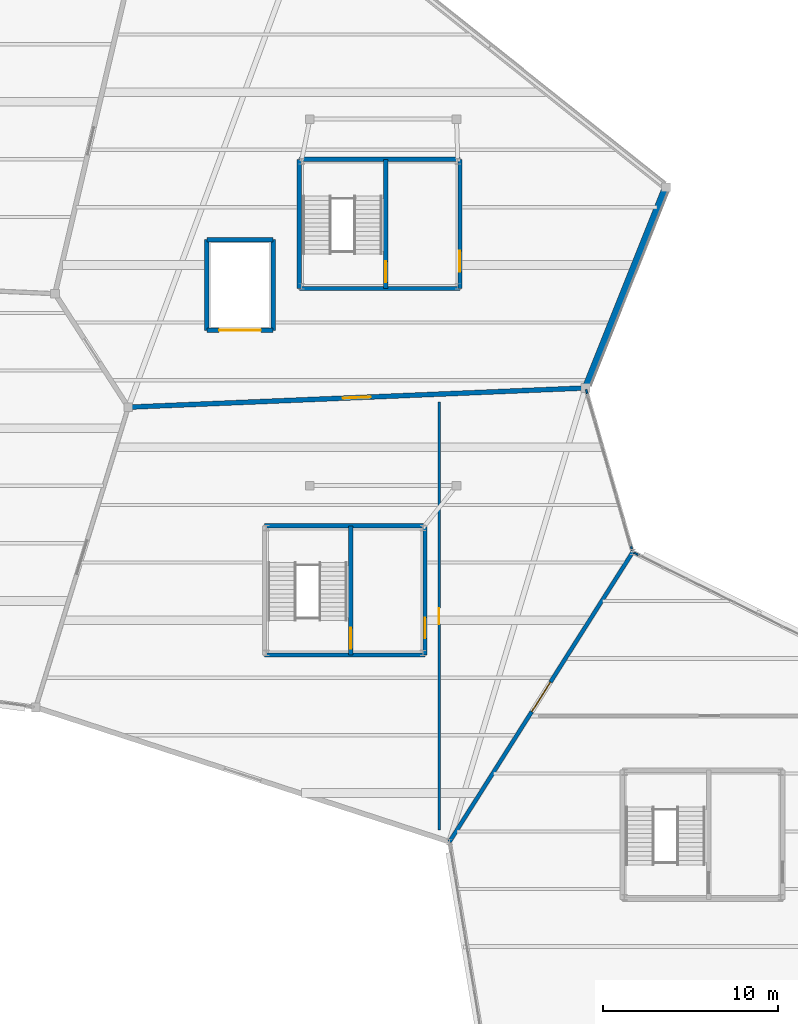
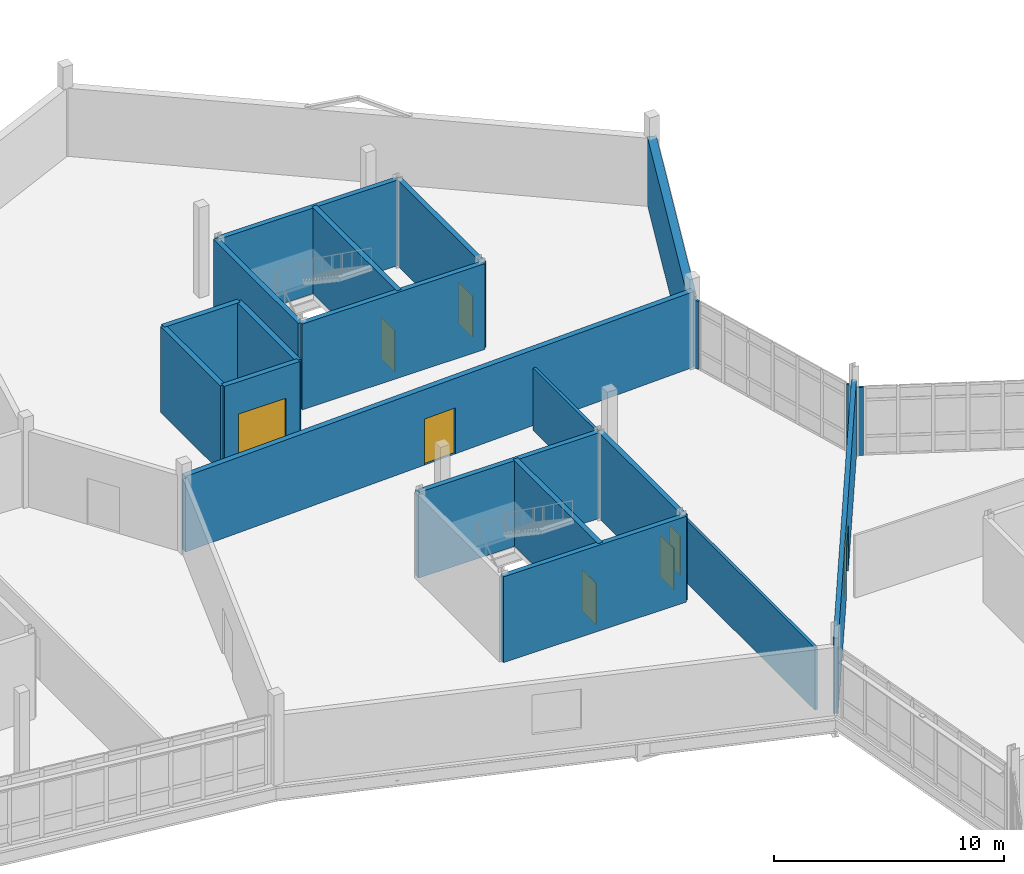
# One storey, part 112 of 134: 20 walls, 8 doors, 8 openings.
"""IFC4 building model written with IfcOpenShell, lengths in metres."""

from ifc_helpers import new_model, si_unit, direction, frame, frame_2d, origin, place, context, subcontext, project, spatial, rectangle, extrude, material, layer, layer_set, type_object, element, fill, save


model = new_model("IFC4")

# Units and contexts
model_context = context("Model", 3, precision=1e-05, world=origin(), true_north=direction((0.0, 1.0)))
body_context = subcontext(model_context, "Body", "Model", "MODEL_VIEW")
ifc_project = project(units=[si_unit("LENGTHUNIT", "METRE"), si_unit("AREAUNIT", "SQUARE_METRE"), si_unit("VOLUMEUNIT", "CUBIC_METRE"), si_unit("PLANEANGLEUNIT", "RADIAN"), si_unit("MASSUNIT", "GRAM", prefix="KILO")], contexts=[model_context])

# Site, building, storey
site_placement = place(None, origin())
site = spatial("IfcSite", under=ifc_project, at=site_placement, CompositionType="ELEMENT")
building_placement = place(site_placement, origin())
building = spatial("IfcBuilding", under=site, at=building_placement, Name="Tameran Prism Museum", CompositionType="ELEMENT")
storey_placement = place(building_placement, frame((0.0, 0.0, 5.39990234375)))
storey = spatial("IfcBuildingStorey", under=building, at=storey_placement, Name="L01", CompositionType="ELEMENT", Elevation=5.39990234375)

# Walls
ifc_material_1 = material(Name="Precast Concrete N50 (50 MPa)", Category="concrete")
ifc_layer_1 = layer(ifc_material_1, 0.39990234375)
ifc_layer_set_1 = layer_set([ifc_layer_1])
wall_type_1 = type_object("IfcWallType", Name="EW-ARC-400", PredefinedType="SOLIDWALL", material=ifc_layer_set_1)
wall_1_placement = place(storey_placement, frame((62.39990234375, 94.10009765625, 0.0), z_axis=(0.0, 0.0, 1.0), x_axis=(-0.371407751599, -0.928469860605, 0.0)))
element("IfcWall", 1, at=wall_1_placement, inside=storey, type_object=wall_type_1, Name="Exterior Fluted Precast Wall EW-0252", PredefinedType="SOLIDWALL", context=body_context, shape_type="SweptSolid", body=[
    extrude(rectangle(XDim=12.32568359375, YDim=0.39990234375, at=frame_2d((6.162841796875, 0.0))), origin(), (0.0, 0.0, 1.0), 3.6201171875),
])
ifc_material_2 = material(Name="Precast Concrete N40 (40 MPa)", Category="concrete")
ifc_layer_2 = layer(ifc_material_2, 0.094970703125)
ifc_layer_set_2 = layer_set([ifc_layer_2])
wall_type_2 = type_object("IfcWallType", Name="EW-CLOS-095", PredefinedType="SOLIDWALL", material=ifc_layer_set_2)
wall_2_placement = place(storey_placement, frame((60.592041015625, 73.154052734375, 0.0), z_axis=(0.0, 0.0, 1.0), x_axis=(0.895062210154, -0.445941296533, 0.0)))
element("IfcWall", 2, at=wall_2_placement, inside=storey, type_object=wall_type_2, Name="Facade Corner Closure EW-0203", PredefinedType="SOLIDWALL", context=body_context, shape_type="SweptSolid", body=[
    extrude(rectangle(XDim=0.30712890625, YDim=0.094970703125, at=frame_2d((0.153564453125, 0.0))), origin(), (0.0, 0.0, 1.0), 3.6201171875),
])
for number, where, z_axis, x_axis, name in (
    (3, (57.8291015625, 82.501953125, 0.0), (0.0, 0.0, 1.0), (0.275977786159, -0.961164013864, 0.0), "Facade Corner Closure EW-0249"),
    (4, (60.385986328125, 73.593994140625, 0.0), (0.0, 0.0, 1.0), (0.275977786159, -0.961164013864, 0.0), "Facade Corner Closure EW-0250"),
):
    element("IfcWall", number, at=place(storey_placement, frame(where, z_axis=z_axis, x_axis=x_axis)), inside=storey, type_object=wall_type_2, Name=name, PredefinedType="SOLIDWALL", context=body_context, shape_type="SweptSolid", body=[
        extrude(rectangle(XDim=0.307861328125, YDim=0.094970703125, at=frame_2d((0.15380859375, 0.0))), origin(), (0.0, 0.0, 1.0), 3.6201171875),
    ])

# Wall, opening, door
ifc_material_3 = material(Name="Concrete N40 (40 MPa)", Category="concrete")
ifc_layer_3 = layer(ifc_material_3, 0.22509765625)
ifc_layer_set_3 = layer_set([ifc_layer_3])
wall_type_3 = type_object("IfcWallType", Name="IW-CMP-225", PredefinedType="SOLIDWALL", material=ifc_layer_set_3)
wall_3_placement = place(storey_placement, frame((60.5, 73.199951171875, 0.0), z_axis=(0.0, 0.0, 1.0), x_axis=(-0.534570878454, -0.845123645338, 0.0)))
wall_3 = element("IfcWall", 5, at=wall_3_placement, inside=storey, type_object=wall_type_3, Name="Compartment Wall IW-0086", PredefinedType="SOLIDWALL", context=body_context, shape_type="SweptSolid", body=[
    extrude(rectangle(XDim=19.641845703125, YDim=0.22509765625, at=frame_2d((9.82080078125, 0.0))), origin(), (0.0, 0.0, 1.0), 4.02001953125),
])
opening_1_placement = place(wall_3_placement, frame((8.821044921875, 0.0, 0.0)))
opening_1 = element("IfcOpeningElement", 6, at=opening_1_placement, cuts=wall_3, Name="Opening ID-0085", PredefinedType="OPENING", context=body_context, shape_type="SweptSolid", body=[
    extrude(rectangle(XDim=2.0, YDim=2.5, at=frame_2d((1.0, 1.25))), frame((0.0, 0.12255859375, 0.0), z_axis=(0.0, -1.0, 0.0), x_axis=(1.0, 0.0, 0.0)), (0.0, 0.0, 1.0), 0.2451171875),
])
ifc_material_4 = material(Name="Fire-Rated Steel Door Leaf and Frame", Category="steel")
door_type_1 = type_object("IfcDoorType", Name="DR-GAL-200", OperationType="DOUBLE_DOOR_SINGLE_SWING", PredefinedType="DOOR", material=ifc_material_4)
door_1_placement = place(opening_1_placement, origin())
door_1 = element("IfcDoor", 7, at=door_1_placement, inside=storey, type_object=door_type_1, Name="Compartment Door ID-0085", OperationType="DOUBLE_DOOR_SINGLE_SWING", OverallHeight=2.5, OverallWidth=2.0, PredefinedType="DOOR", context=body_context, shape_type="SweptSolid", body=[
    extrude(rectangle(XDim=2.0, YDim=2.5, at=frame_2d((1.0, 1.25))), frame((0.0, 0.02490234375, 0.0), z_axis=(0.0, -1.0, 0.0), x_axis=(1.0, 0.0, 0.0)), (0.0, 0.0, 1.0), 0.050048828125),
])
fill(opening_1, door_1)

ifc_material_5 = material(Name="Concrete N40 (40 MPa)", Category="concrete")
ifc_layer_4 = layer(ifc_material_5, 0.27490234375)
ifc_layer_set_4 = layer_set([ifc_layer_4])
wall_type_4 = type_object("IfcWallType", Name="IW-CMP-275", PredefinedType="SOLIDWALL", material=ifc_layer_set_4)
wall_4_placement = place(storey_placement, frame((57.800048828125, 82.60009765625, 0.0), z_axis=(0.0, 0.0, 1.0), x_axis=(-0.999119645224, -0.041951573605, 0.0)))
wall_4 = element("IfcWall", 8, at=wall_4_placement, inside=storey, type_object=wall_type_4, Name="Compartment Wall IW-0094", PredefinedType="SOLIDWALL", context=body_context, shape_type="SweptSolid", body=[
    extrude(rectangle(XDim=26.22314453125, YDim=0.27490234375, at=frame_2d((13.111572265625, 0.0))), origin(), (0.0, 0.0, 1.0), 4.02001953125),
])
opening_2_placement = place(wall_4_placement, frame((12.31201171875, 0.0, 0.0)))
opening_2 = element("IfcOpeningElement", 9, at=opening_2_placement, cuts=wall_4, Name="Opening ID-0093", PredefinedType="OPENING", context=body_context, shape_type="SweptSolid", body=[
    extrude(rectangle(XDim=1.60009765625, YDim=2.449951171875, at=frame_2d((0.800048828125, 1.22509765625))), frame((0.0, 0.1474609375, 0.0), z_axis=(0.0, -1.0, 0.0), x_axis=(1.0, 0.0, 0.0)), (0.0, 0.0, 1.0), 0.294921875),
])
ifc_material_6 = material(Name="Fire-Rated Steel Door Leaf and Frame", Category="steel")
door_type_2 = type_object("IfcDoorType", Name="DR-FD-240", OperationType="DOUBLE_DOOR_SINGLE_SWING", PredefinedType="DOOR", material=ifc_material_6)
door_2_placement = place(opening_2_placement, origin())
door_2 = element("IfcDoor", 10, at=door_2_placement, inside=storey, type_object=door_type_2, Name="Compartment Door ID-0093", OperationType="DOUBLE_DOOR_SINGLE_SWING", OverallHeight=2.449951171875, OverallWidth=1.60009765625, PredefinedType="DOOR", context=body_context, shape_type="SweptSolid", body=[
    extrude(rectangle(XDim=1.60009765625, YDim=2.449951171875, at=frame_2d((0.800048828125, 1.22509765625))), frame((0.0, 0.02490234375, 0.0), z_axis=(0.0, -1.0, 0.0), x_axis=(1.0, 0.0, 0.0)), (0.0, 0.0, 1.0), 0.050048828125),
])
fill(opening_2, door_2)

# Walls
ifc_material_7 = material(Name="Concrete N40 (40 MPa)", Category="concrete")
ifc_layer_5 = layer(ifc_material_7, 0.25)
ifc_layer_set_5 = layer_set([ifc_layer_5])
wall_type_5 = type_object("IfcWallType", Name="IW-COR-250", PredefinedType="SHEAR", material=ifc_layer_set_5)
for number, where, z_axis, x_axis, name in (
    (11, (39.39990234375, 74.699951171875, 0.0), (0.0, 0.0, 1.0), (1.0, 0.0, 0.0), "Core Shear Wall CW-5-L01-N"),
    (12, (48.60009765625, 67.300048828125, 0.0), (0.0, 0.0, 1.0), (-1.0, 0.0, 0.0), "Core Shear Wall CW-5-L01-S"),
):
    element("IfcWall", number, at=place(storey_placement, frame(where, z_axis=z_axis, x_axis=x_axis)), inside=storey, type_object=wall_type_5, Name=name, PredefinedType="SHEAR", context=body_context, shape_type="SweptSolid", body=[
        extrude(rectangle(XDim=9.2001953125, YDim=0.25, at=frame_2d((4.60009765625, 0.0))), origin(), (0.0, 0.0, 1.0), 4.56005859375),
    ])

# Wall, opening, door
wall_5_placement = place(storey_placement, frame((48.60009765625, 74.699951171875, 0.0), z_axis=(0.0, 0.0, 1.0), x_axis=(0.0, -1.0, 0.0)))
wall_5 = element("IfcWall", 13, at=wall_5_placement, inside=storey, type_object=wall_type_5, Name="Core Shear Wall CW-5-L01-E", PredefinedType="SHEAR", context=body_context, shape_type="SweptSolid", body=[
    extrude(rectangle(XDim=7.39990234375, YDim=0.25, at=frame_2d((3.699951171875, 0.0))), origin(), (0.0, 0.0, 1.0), 4.56005859375),
])
opening_3_placement = place(wall_5_placement, frame((5.25, 0.0, 0.0)))
opening_3 = element("IfcOpeningElement", 14, at=opening_3_placement, cuts=wall_5, Name="Opening FD-0247", PredefinedType="OPENING", context=body_context, shape_type="SweptSolid", body=[
    extrude(rectangle(XDim=1.199951171875, YDim=2.199951171875, at=frame_2d((0.60009765625, 1.10009765625))), frame((0.0, 0.135009765625, 0.0), z_axis=(0.0, -1.0, 0.0), x_axis=(1.0, 0.0, 0.0)), (0.0, 0.0, 1.0), 0.27001953125),
])
ifc_material_8 = material(Name="Fire-Rated Steel Door Leaf and Frame", Category="steel")
door_type_3 = type_object("IfcDoorType", Name="DR-FD-120A", OperationType="NOTDEFINED", PredefinedType="DOOR", material=ifc_material_8)
door_3_placement = place(opening_3_placement, origin())
door_3 = element("IfcDoor", 15, at=door_3_placement, inside=storey, type_object=door_type_3, Name="Core Fire Door FD-0247", OperationType="SINGLE_SWING_LEFT", OverallHeight=2.199951171875, OverallWidth=1.199951171875, PredefinedType="DOOR", context=body_context, shape_type="SweptSolid", body=[
    extrude(rectangle(XDim=1.199951171875, YDim=2.199951171875, at=frame_2d((0.60009765625, 1.10009765625))), frame((0.0, 0.02490234375, 0.0), z_axis=(0.0, -1.0, 0.0), x_axis=(1.0, 0.0, 0.0)), (0.0, 0.0, 1.0), 0.050048828125),
])
fill(opening_3, door_3)

wall_6_placement = place(storey_placement, frame((44.35009765625, 74.699951171875, 0.0), z_axis=(0.0, 0.0, 1.0), x_axis=(0.0, -1.0, 0.0)))
wall_6 = element("IfcWall", 16, at=wall_6_placement, inside=storey, type_object=wall_type_5, Name="Core Shear Wall CW-5-L01-M", PredefinedType="SHEAR", context=body_context, shape_type="SweptSolid", body=[
    extrude(rectangle(XDim=7.39990234375, YDim=0.25, at=frame_2d((3.699951171875, 0.0))), origin(), (0.0, 0.0, 1.0), 4.56005859375),
])
opening_4_placement = place(wall_6_placement, frame((5.85009765625, 0.0, 0.0)))
opening_4 = element("IfcOpeningElement", 17, at=opening_4_placement, cuts=wall_6, Name="Opening FD-0248", PredefinedType="OPENING", context=body_context, shape_type="SweptSolid", body=[
    extrude(rectangle(XDim=1.199951171875, YDim=2.199951171875, at=frame_2d((0.60009765625, 1.10009765625))), frame((0.0, 0.135009765625, 0.0), z_axis=(0.0, -1.0, 0.0), x_axis=(1.0, 0.0, 0.0)), (0.0, 0.0, 1.0), 0.27001953125),
])
door_4_placement = place(opening_4_placement, origin())
door_4 = element("IfcDoor", 18, at=door_4_placement, inside=storey, type_object=door_type_3, Name="Core Fire Door FD-0248", OperationType="SINGLE_SWING_RIGHT", OverallHeight=2.199951171875, OverallWidth=1.199951171875, PredefinedType="DOOR", context=body_context, shape_type="SweptSolid", body=[
    extrude(rectangle(XDim=1.199951171875, YDim=2.199951171875, at=frame_2d((0.60009765625, 1.10009765625))), frame((0.0, 0.02490234375, 0.0), z_axis=(0.0, -1.0, 0.0), x_axis=(1.0, 0.0, 0.0)), (0.0, 0.0, 1.0), 0.050048828125),
])
fill(opening_4, door_4)

# Walls
wall_7_placement = place(storey_placement, frame((41.39990234375, 88.300048828125, 0.0), z_axis=(0.0, 0.0, 1.0), x_axis=(0.0, 1.0, 0.0)))
element("IfcWall", 19, at=wall_7_placement, inside=storey, type_object=wall_type_5, Name="Core Shear Wall CW-14-L01-W", PredefinedType="SHEAR", context=body_context, shape_type="SweptSolid", body=[
    extrude(rectangle(XDim=7.39990234375, YDim=0.25, at=frame_2d((3.699951171875, 0.0))), origin(), (0.0, 0.0, 1.0), 4.56005859375),
])
for number, where, z_axis, x_axis, name in (
    (20, (41.39990234375, 95.699951171875, 0.0), (0.0, 0.0, 1.0), (1.0, 0.0, 0.0), "Core Shear Wall CW-14-L01-N"),
    (21, (50.60009765625, 88.300048828125, 0.0), (0.0, 0.0, 1.0), (-1.0, 0.0, 0.0), "Core Shear Wall CW-14-L01-S"),
):
    element("IfcWall", number, at=place(storey_placement, frame(where, z_axis=z_axis, x_axis=x_axis)), inside=storey, type_object=wall_type_5, Name=name, PredefinedType="SHEAR", context=body_context, shape_type="SweptSolid", body=[
        extrude(rectangle(XDim=9.2001953125, YDim=0.25, at=frame_2d((4.60009765625, 0.0))), origin(), (0.0, 0.0, 1.0), 4.56005859375),
    ])

# Wall, opening, door
wall_8_placement = place(storey_placement, frame((50.60009765625, 95.699951171875, 0.0), z_axis=(0.0, 0.0, 1.0), x_axis=(0.0, -1.0, 0.0)))
wall_8 = element("IfcWall", 22, at=wall_8_placement, inside=storey, type_object=wall_type_5, Name="Core Shear Wall CW-14-L01-E", PredefinedType="SHEAR", context=body_context, shape_type="SweptSolid", body=[
    extrude(rectangle(XDim=7.39990234375, YDim=0.25, at=frame_2d((3.699951171875, 0.0))), origin(), (0.0, 0.0, 1.0), 4.56005859375),
])
opening_5_placement = place(wall_8_placement, frame((5.25, 0.0, 0.0)))
opening_5 = element("IfcOpeningElement", 23, at=opening_5_placement, cuts=wall_8, Name="Opening FD-0291", PredefinedType="OPENING", context=body_context, shape_type="SweptSolid", body=[
    extrude(rectangle(XDim=1.199951171875, YDim=2.199951171875, at=frame_2d((0.60009765625, 1.10009765625))), frame((0.0, 0.135009765625, 0.0), z_axis=(0.0, -1.0, 0.0), x_axis=(1.0, 0.0, 0.0)), (0.0, 0.0, 1.0), 0.27001953125),
])
door_5_placement = place(opening_5_placement, origin())
door_5 = element("IfcDoor", 24, at=door_5_placement, inside=storey, type_object=door_type_3, Name="Core Fire Door FD-0291", OperationType="SINGLE_SWING_LEFT", OverallHeight=2.199951171875, OverallWidth=1.199951171875, PredefinedType="DOOR", context=body_context, shape_type="SweptSolid", body=[
    extrude(rectangle(XDim=1.199951171875, YDim=2.199951171875, at=frame_2d((0.60009765625, 1.10009765625))), frame((0.0, 0.02490234375, 0.0), z_axis=(0.0, -1.0, 0.0), x_axis=(1.0, 0.0, 0.0)), (0.0, 0.0, 1.0), 0.050048828125),
])
fill(opening_5, door_5)

wall_9_placement = place(storey_placement, frame((46.35009765625, 95.699951171875, 0.0), z_axis=(0.0, 0.0, 1.0), x_axis=(0.0, -1.0, 0.0)))
wall_9 = element("IfcWall", 25, at=wall_9_placement, inside=storey, type_object=wall_type_5, Name="Core Shear Wall CW-14-L01-M", PredefinedType="SHEAR", context=body_context, shape_type="SweptSolid", body=[
    extrude(rectangle(XDim=7.39990234375, YDim=0.25, at=frame_2d((3.699951171875, 0.0))), origin(), (0.0, 0.0, 1.0), 4.56005859375),
])
opening_6_placement = place(wall_9_placement, frame((5.85009765625, 0.0, 0.0)))
opening_6 = element("IfcOpeningElement", 26, at=opening_6_placement, cuts=wall_9, Name="Opening FD-0292", PredefinedType="OPENING", context=body_context, shape_type="SweptSolid", body=[
    extrude(rectangle(XDim=1.199951171875, YDim=2.199951171875, at=frame_2d((0.60009765625, 1.10009765625))), frame((0.0, 0.135009765625, 0.0), z_axis=(0.0, -1.0, 0.0), x_axis=(1.0, 0.0, 0.0)), (0.0, 0.0, 1.0), 0.27001953125),
])
door_6_placement = place(opening_6_placement, origin())
door_6 = element("IfcDoor", 27, at=door_6_placement, inside=storey, type_object=door_type_3, Name="Core Fire Door FD-0292", OperationType="SINGLE_SWING_RIGHT", OverallHeight=2.199951171875, OverallWidth=1.199951171875, PredefinedType="DOOR", context=body_context, shape_type="SweptSolid", body=[
    extrude(rectangle(XDim=1.199951171875, YDim=2.199951171875, at=frame_2d((0.60009765625, 1.10009765625))), frame((0.0, 0.02490234375, 0.0), z_axis=(0.0, -1.0, 0.0), x_axis=(1.0, 0.0, 0.0)), (0.0, 0.0, 1.0), 0.050048828125),
])
fill(opening_6, door_6)

ifc_material_9 = material(Name="Acoustic Seminar Stud Partition")
ifc_layer_6 = layer(ifc_material_9, 0.139892578125)
ifc_layer_set_6 = layer_set([ifc_layer_6])
wall_type_6 = type_object("IfcWallType", Name="IW-PRT-140", PredefinedType="PARTITIONING", material=ifc_layer_set_6)
wall_10_placement = place(storey_placement, frame((49.403076171875, 57.26708984375, 0.0), z_axis=(0.0, 0.0, 1.0), x_axis=(0.0, 1.0, 0.0)))
wall_10 = element("IfcWall", 28, at=wall_10_placement, inside=storey, type_object=wall_type_6, Name="Internal Partition PT-0108", PredefinedType="PARTITIONING", context=body_context, shape_type="SweptSolid", body=[
    extrude(rectangle(XDim=24.530029296875, YDim=0.139892578125, at=frame_2d((12.26513671875, 0.0))), origin(), (0.0, 0.0, 1.0), 3.320068359375),
])
opening_7_placement = place(wall_10_placement, frame((11.804931640625, 0.0, 0.0)))
opening_7 = element("IfcOpeningElement", 29, at=opening_7_placement, cuts=wall_10, Name="Opening ID-0107", PredefinedType="OPENING", context=body_context, shape_type="SweptSolid", body=[
    extrude(rectangle(XDim=0.919921875, YDim=2.10009765625, at=frame_2d((0.4599609375, 1.050048828125))), frame((0.0, 0.079833984375, 0.0), z_axis=(0.0, -1.0, 0.0), x_axis=(1.0, 0.0, 0.0)), (0.0, 0.0, 1.0), 0.159912109375),
])
ifc_material_10 = material(Name="Acoustic Solid-Core Timber Door", Category="wood")
door_type_4 = type_object("IfcDoorType", Name="DR-INT-092", OperationType="NOTDEFINED", PredefinedType="DOOR", material=ifc_material_10)
door_7_placement = place(opening_7_placement, origin())
door_7 = element("IfcDoor", 30, at=door_7_placement, inside=storey, type_object=door_type_4, Name="Interior Room Door ID-0107", OperationType="SINGLE_SWING_RIGHT", OverallHeight=2.10009765625, OverallWidth=0.919921875, PredefinedType="DOOR", context=body_context, shape_type="SweptSolid", body=[
    extrude(rectangle(XDim=0.919921875, YDim=2.10009765625, at=frame_2d((0.4599609375, 1.050048828125))), frame((0.0, 0.02490234375, 0.0), z_axis=(0.0, -1.0, 0.0), x_axis=(1.0, 0.0, 0.0)), (0.0, 0.0, 1.0), 0.050048828125),
])
fill(opening_7, door_7)

# Walls
ifc_material_11 = material(Name="Concrete N50 (50 MPa)", Category="concrete")
ifc_layer_7 = layer(ifc_material_11, 0.260009765625)
ifc_layer_set_7 = layer_set([ifc_layer_7])
wall_type_7 = type_object("IfcWallType", Name="IW-SHF-260", PredefinedType="SHEAR", material=ifc_layer_set_7)
wall_11_placement = place(storey_placement, frame((36.10009765625, 91.10009765625, 0.0), z_axis=(0.0, 0.0, 1.0), x_axis=(1.0, 0.0, 0.0)))
element("IfcWall", 31, at=wall_11_placement, inside=storey, type_object=wall_type_7, Name="Lift Shaft Wall LW-GL01-L01N", PredefinedType="SHEAR", context=body_context, shape_type="SweptSolid", body=[
    extrude(rectangle(XDim=3.7998046875, YDim=0.260009765625, at=frame_2d((1.89990234375, 0.0))), origin(), (0.0, 0.0, 1.0), 4.56005859375),
])
for number, where, z_axis, x_axis, name in (
    (32, (39.89990234375, 91.10009765625, 0.0), (0.0, 0.0, 1.0), (0.0, -1.0, 0.0), "Lift Shaft Wall LW-GL01-L01E"),
    (33, (36.10009765625, 85.89990234375, 0.0), (0.0, 0.0, 1.0), (0.0, 1.0, 0.0), "Lift Shaft Wall LW-GL01-L01W"),
):
    element("IfcWall", number, at=place(storey_placement, frame(where, z_axis=z_axis, x_axis=x_axis)), inside=storey, type_object=wall_type_7, Name=name, PredefinedType="SHEAR", context=body_context, shape_type="SweptSolid", body=[
        extrude(rectangle(XDim=5.2001953125, YDim=0.260009765625, at=frame_2d((2.60009765625, 0.0))), origin(), (0.0, 0.0, 1.0), 4.56005859375),
    ])

# Wall, opening, door
wall_12_placement = place(storey_placement, frame((39.89990234375, 85.89990234375, 0.0), z_axis=(0.0, 0.0, 1.0), x_axis=(-1.0, 0.0, 0.0)))
wall_12 = element("IfcWall", 34, at=wall_12_placement, inside=storey, type_object=wall_type_7, Name="Lift Shaft Wall LW-GL01-L01S", PredefinedType="SHEAR", context=body_context, shape_type="SweptSolid", body=[
    extrude(rectangle(XDim=3.7998046875, YDim=0.260009765625, at=frame_2d((1.89990234375, 0.0))), origin(), (0.0, 0.0, 1.0), 4.56005859375),
])
opening_8_placement = place(wall_12_placement, frame((0.699951171875, 0.0, 0.0)))
opening_8 = element("IfcOpeningElement", 35, at=opening_8_placement, cuts=wall_12, Name="Opening LD-GL01-L01", PredefinedType="OPENING", context=body_context, shape_type="SweptSolid", body=[
    extrude(rectangle(XDim=2.39990234375, YDim=2.85009765625, at=frame_2d((1.199951171875, 1.425048828125))), frame((0.0, 0.139892578125, 0.0), z_axis=(0.0, -1.0, 0.0), x_axis=(1.0, 0.0, 0.0)), (0.0, 0.0, 1.0), 0.280029296875),
])
ifc_material_12 = material(Name="Fire-Rated Steel Door Leaf and Frame", Category="steel")
door_type_5 = type_object("IfcDoorType", Name="DR-LD-GL", OperationType="SLIDING_TO_LEFT", PredefinedType="DOOR", material=ifc_material_12)
door_8_placement = place(opening_8_placement, origin())
door_8 = element("IfcDoor", 36, at=door_8_placement, inside=storey, type_object=door_type_5, Name="Goods Lift GL-01 Landing Door L01", OperationType="SLIDING_TO_LEFT", OverallHeight=2.85009765625, OverallWidth=2.39990234375, PredefinedType="DOOR", context=body_context, shape_type="SweptSolid", body=[
    extrude(rectangle(XDim=2.39990234375, YDim=2.85009765625, at=frame_2d((1.199951171875, 1.425048828125))), frame((0.0, 0.02490234375, 0.0), z_axis=(0.0, -1.0, 0.0), x_axis=(1.0, 0.0, 0.0)), (0.0, 0.0, 1.0), 0.050048828125),
])
fill(opening_8, door_8)

save(model, "model.ifc")
